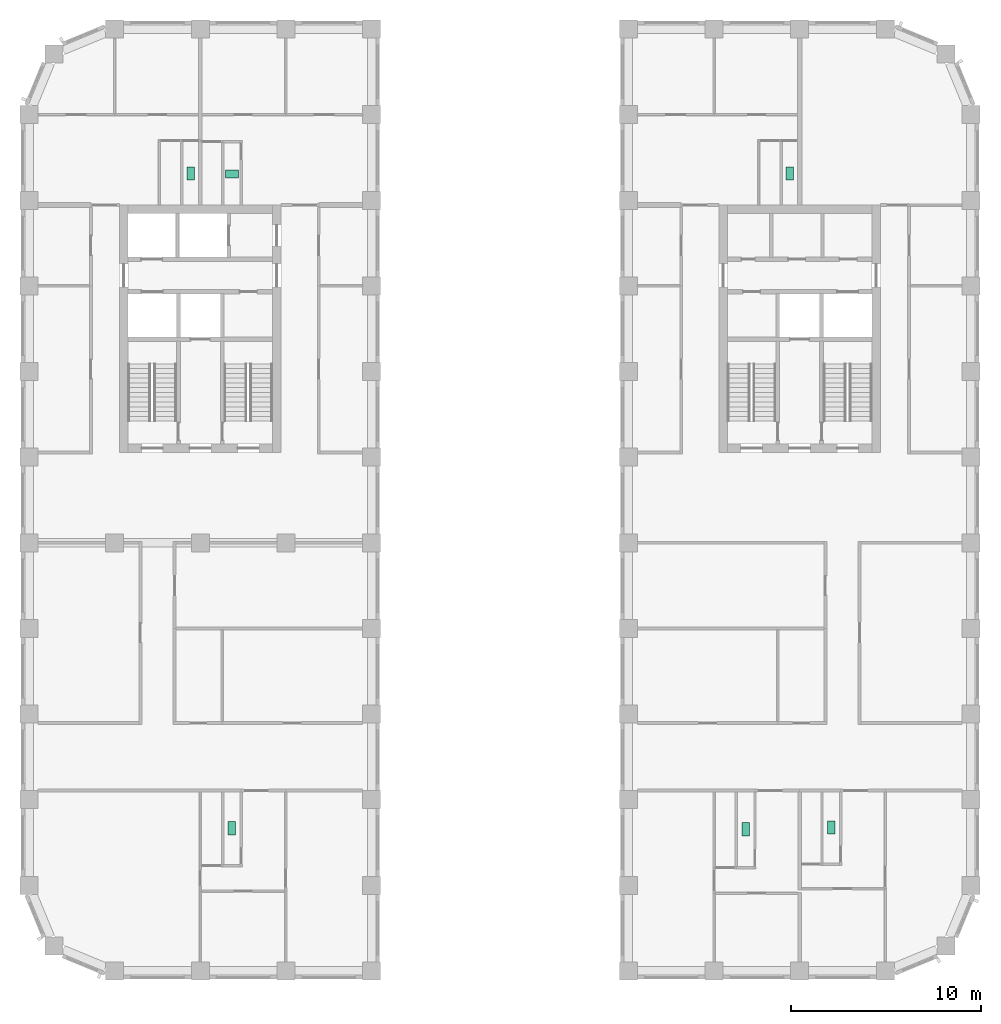
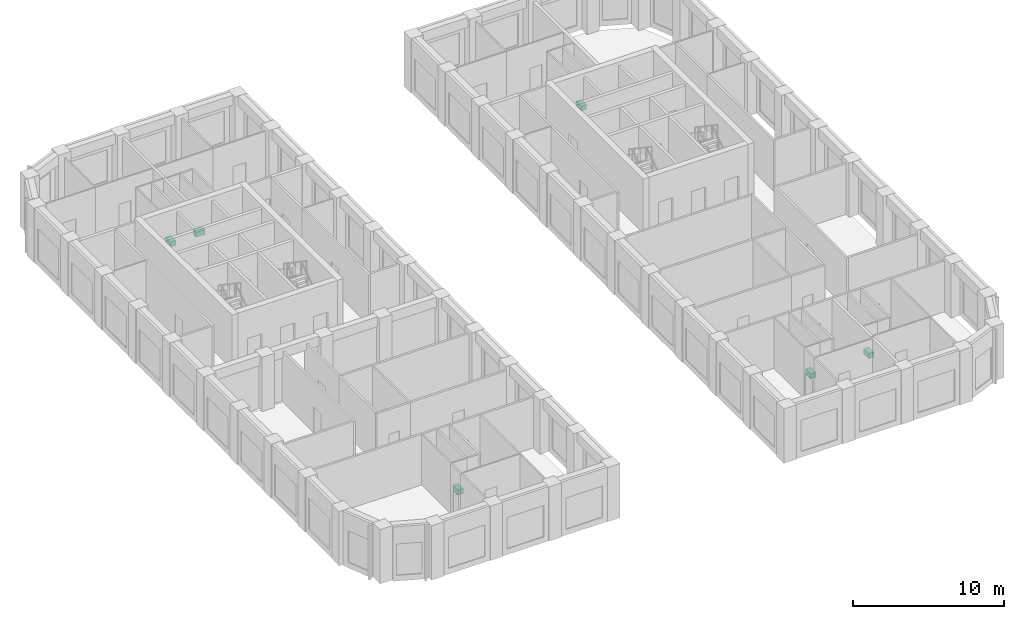
# One storey, part 13 of 13: 6 sanitary terminals.
"""IFC4 building model written with IfcOpenShell, lengths in metres."""

from ifc_helpers import new_model, si_unit, direction, frame, origin, origin_2d, place, context, subcontext, project, spatial, rectangle, extrude, material, type_object, element, save


model = new_model("IFC4")

# Units and contexts
model_context = context("Model", 3, precision=1e-05, world=origin(), true_north=direction((0.0, 1.0)))
body_context = subcontext(model_context, "Body", "Model", "MODEL_VIEW")
ifc_project = project(units=[si_unit("LENGTHUNIT", "METRE"), si_unit("AREAUNIT", "SQUARE_METRE"), si_unit("VOLUMEUNIT", "CUBIC_METRE"), si_unit("PLANEANGLEUNIT", "RADIAN"), si_unit("MASSUNIT", "GRAM", prefix="KILO")], contexts=[model_context])

# Site, building, storey
site_placement = place(None, origin())
site = spatial("IfcSite", under=ifc_project, at=site_placement, CompositionType="ELEMENT")
building_placement = place(site_placement, origin())
building = spatial("IfcBuilding", under=site, at=building_placement, Name="Girih Gate Residences", CompositionType="ELEMENT")
storey_placement = place(building_placement, frame((0.0, 0.0, 159.39990234375)))
storey = spatial("IfcBuildingStorey", under=building, at=storey_placement, Name="L44", CompositionType="ELEMENT", Elevation=159.39990234375)

# Sanitary terminals
ifc_material = material(Name="Vitreous china")
sanitary_terminal_type = type_object("IfcSanitaryTerminalType", Name="WC pan", PredefinedType="TOILETPAN", material=ifc_material)
for number, where, z_axis, x_axis, name in (
    (1, (10.662109375, 7.4990234375, 0.000244140625), (0.0, 0.0, 1.0), (1.0, 0.0, 0.0), "WC pan L44"),
    (2, (8.492919921875, 41.904052734375, 0.000244140625), (0.0, 0.0, 1.0), (1.0, 0.0, 0.0), "WC pan L44"),
):
    element("IfcSanitaryTerminal", number, at=place(storey_placement, frame(where, z_axis=z_axis, x_axis=x_axis)), inside=storey, type_object=sanitary_terminal_type, Name=name, PredefinedType="TOILETPAN", context=body_context, shape_type="SweptSolid", body=[
        extrude(rectangle(XDim=0.39990234375, YDim=0.699951171875, at=origin_2d()), origin(), (0.0, 0.0, 1.0), 0.39990234375),
    ])
sanitary_terminal_placement = place(storey_placement, frame((10.662109375, 41.884033203125, 0.000244140625), z_axis=(0.0, 0.0, 1.0), x_axis=(1.0, 0.0, 0.0)))
element("IfcSanitaryTerminal", 3, at=sanitary_terminal_placement, inside=storey, type_object=sanitary_terminal_type, Name="WC pan L44", PredefinedType="TOILETPAN", context=body_context, shape_type="SweptSolid", body=[
    extrude(rectangle(XDim=0.699951171875, YDim=0.39990234375, at=origin_2d()), origin(), (0.0, 0.0, 1.0), 0.39990234375),
])
for number, where, z_axis, x_axis, name in (
    (4, (42.162109375, 7.5390625, 0.000244140625), (0.0, 0.0, 1.0), (1.0, 0.0, 0.0), "WC pan L44"),
    (5, (37.662109375, 7.43896484375, 0.000244140625), (0.0, 0.0, 1.0), (1.0, 0.0, 0.0), "WC pan L44"),
    (6, (39.97998046875, 41.904052734375, 0.000244140625), (0.0, 0.0, 1.0), (1.0, 0.0, 0.0), "WC pan L44"),
):
    element("IfcSanitaryTerminal", number, at=place(storey_placement, frame(where, z_axis=z_axis, x_axis=x_axis)), inside=storey, type_object=sanitary_terminal_type, Name=name, PredefinedType="TOILETPAN", context=body_context, shape_type="SweptSolid", body=[
        extrude(rectangle(XDim=0.39990234375, YDim=0.699951171875, at=origin_2d()), origin(), (0.0, 0.0, 1.0), 0.39990234375),
    ])

save(model, "model.ifc")
